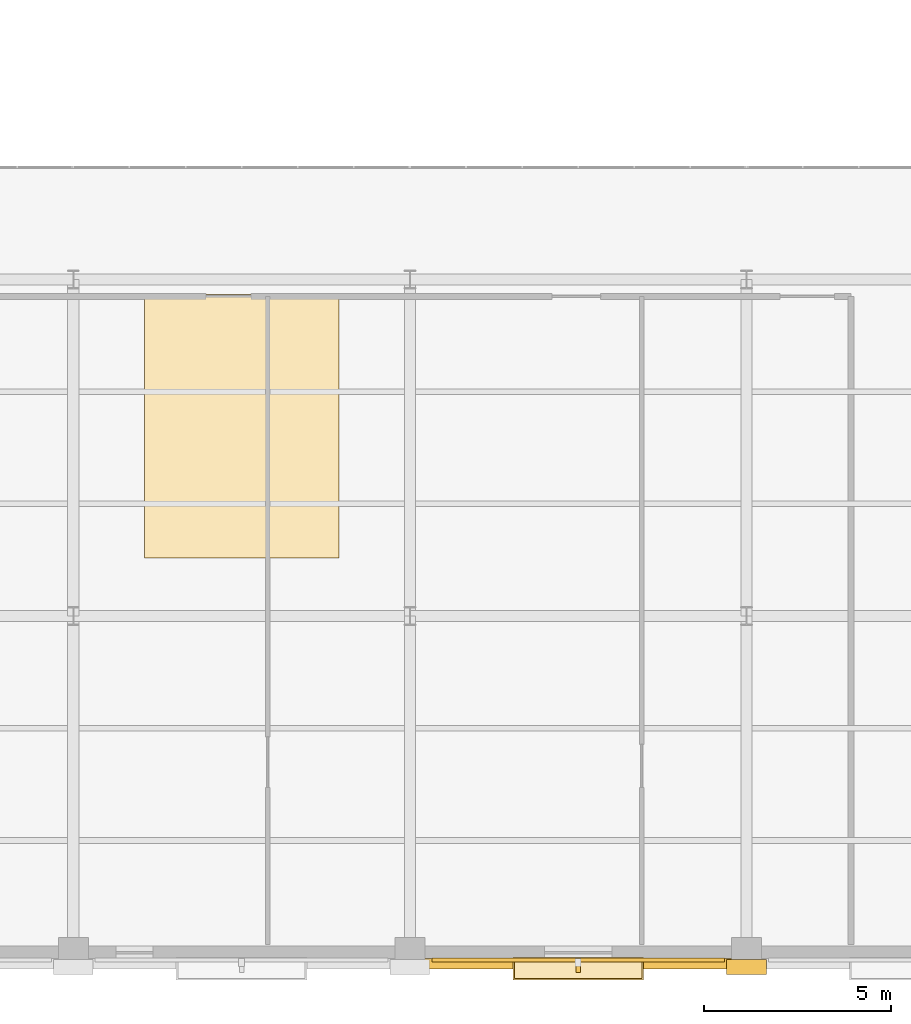
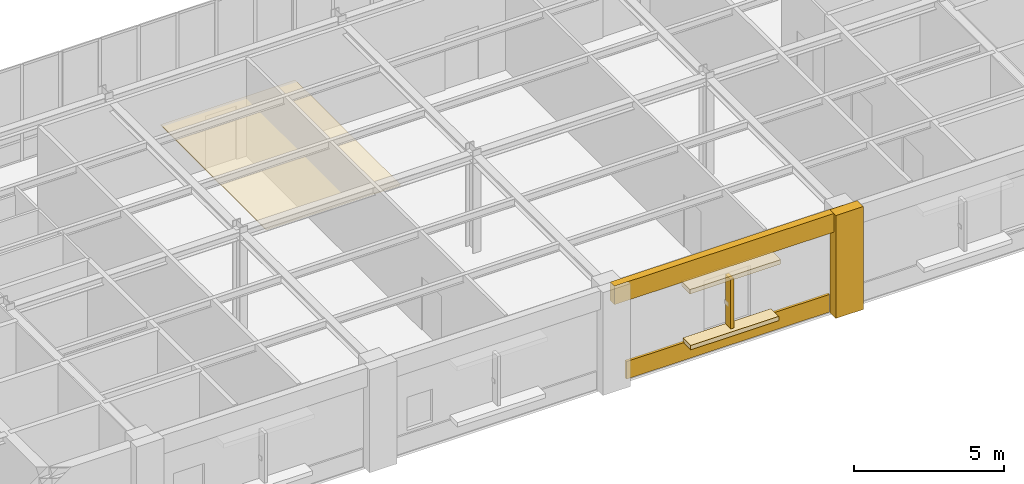
# One storey, part 102 of 108: 6 coverings, 1 shading device.
"""IFC4 building model written with IfcOpenShell, lengths in metres."""

from ifc_helpers import new_model, si_unit, direction, frame, origin, origin_2d, place, context, subcontext, project, spatial, rectangle, extrude, material, layer, layer_set, type_object, element, save


model = new_model("IFC4")

# Units and contexts
model_context = context("Model", 3, precision=1e-05, world=origin(), true_north=direction((0.0, 1.0)))
body_context = subcontext(model_context, "Body", "Model", "MODEL_VIEW")
ifc_project = project(units=[si_unit("LENGTHUNIT", "METRE"), si_unit("AREAUNIT", "SQUARE_METRE"), si_unit("VOLUMEUNIT", "CUBIC_METRE"), si_unit("PLANEANGLEUNIT", "RADIAN"), si_unit("MASSUNIT", "GRAM", prefix="KILO")], contexts=[model_context])

# Site, building, storey
site_placement = place(None, origin())
site = spatial("IfcSite", under=ifc_project, at=site_placement, CompositionType="ELEMENT")
building_placement = place(site_placement, origin())
building = spatial("IfcBuilding", under=site, at=building_placement, Name="Lykobir Media Centre", CompositionType="ELEMENT")
storey_placement = place(building_placement, frame((0.0, 0.0, 15.0)))
storey = spatial("IfcBuildingStorey", under=building, at=storey_placement, Name="L03", CompositionType="ELEMENT", Elevation=15.0)

# Coverings
ifc_material_1 = material(Name="Glazed Turquoise Terracotta", Category="masonry")
ifc_layer_1 = layer(ifc_material_1, 0.0400390625, Name="Glazed Turquoise Terracotta")
ifc_layer_set_1 = layer_set([ifc_layer_1], Name="Glazed Turquoise Terracotta")
covering_type_1 = type_object("IfcCoveringType", Name="CLD-TERR", PredefinedType="CLADDING", material=ifc_layer_set_1)
covering_1_placement = place(storey_placement, frame((58.5, -0.196044921875, 0.080078125), z_axis=(0.0, 0.0, 1.0), x_axis=(1.0, 0.0, 0.0)))
element("IfcCovering", 1, at=covering_1_placement, inside=storey, type_object=covering_type_1, Name="Facade spandrel apron 484", PredefinedType="CLADDING", context=body_context, shape_type="SweptSolid", body=[
    extrude(rectangle(XDim=7.830078125, YDim=0.10009765625, at=origin_2d()), origin(), (0.0, 0.0, 1.0), 0.719970703125),
])
ifc_material_2 = material(Name="Honed Travertine Stone", Category="masonry")
ifc_layer_2 = layer(ifc_material_2, 0.050048828125, Name="Honed Travertine Stone")
ifc_layer_set_2 = layer_set([ifc_layer_2], Name="Honed Travertine Stone")
covering_type_2 = type_object("IfcCoveringType", Name="CLD-TRAV", PredefinedType="CLADDING", material=ifc_layer_set_2)
covering_2_placement = place(storey_placement, frame((63.0, -0.3798828125, 0.0), z_axis=(0.0, 0.0, 1.0), x_axis=(1.0, 0.0, 0.0)))
element("IfcCovering", 2, at=covering_2_placement, inside=storey, type_object=covering_type_2, Name="Travertine column pier 482", PredefinedType="CLADDING", context=body_context, shape_type="SweptSolid", body=[
    extrude(rectangle(XDim=1.06005859375, YDim=0.39990234375, at=origin_2d()), origin(), (0.0, 0.0, 1.0), 4.199951171875),
])
covering_3_placement = place(storey_placement, frame((58.5, -0.300048828125, 3.43994140625), z_axis=(0.0, 0.0, 1.0), x_axis=(1.0, 0.0, 0.0)))
element("IfcCovering", 3, at=covering_3_placement, inside=storey, type_object=covering_type_2, Name="Travertine spandrel stringcourse 483", PredefinedType="CLADDING", context=body_context, shape_type="SweptSolid", body=[
    extrude(rectangle(XDim=9.0, YDim=0.280029296875, at=origin_2d()), origin(), (0.0, 0.0, 1.0), 0.760009765625),
])
covering_4_placement = place(storey_placement, frame((58.5, -0.429931640625, 0.77001953125), z_axis=(0.0, 0.0, 1.0), x_axis=(1.0, 0.0, 0.0)))
element("IfcCovering", 4, at=covering_4_placement, inside=storey, type_object=covering_type_2, Name="Ottoman Cumba sill 485", PredefinedType="CLADDING", context=body_context, shape_type="SweptSolid", body=[
    extrude(rectangle(XDim=3.39990234375, YDim=0.52001953125, at=origin_2d()), origin(), (0.0, 0.0, 1.0), 0.179931640625),
])
covering_5_placement = place(storey_placement, frame((58.5, -0.429931640625, 3.08984375), z_axis=(0.0, 0.0, 1.0), x_axis=(1.0, 0.0, 0.0)))
element("IfcCovering", 5, at=covering_5_placement, inside=storey, type_object=covering_type_2, Name="Ottoman Cumba canopy 486", PredefinedType="CLADDING", context=body_context, shape_type="SweptSolid", body=[
    extrude(rectangle(XDim=3.5, YDim=0.60009765625, at=origin_2d()), origin(), (0.0, 0.0, 1.0), 0.179931640625),
])
ifc_material_3 = material(Name="Acoustic Gypsum Board", Category="gypsum")
ifc_layer_3 = layer(ifc_material_3, 0.0400390625, Name="Acoustic Gypsum Board")
ifc_layer_set_3 = layer_set([ifc_layer_3], Name="Acoustic Gypsum Board")
covering_type_3 = type_object("IfcCoveringType", Name="COV-CEIL", PredefinedType="CEILING", material=ifc_layer_set_3)
covering_6_placement = place(storey_placement, frame((49.5, 14.080078125, 2.300048828125), z_axis=(0.0, 0.0, 1.0), x_axis=(1.0, 0.0, 0.0)))
element("IfcCovering", 6, at=covering_6_placement, inside=storey, type_object=covering_type_3, Name="L03 acoustic suspended ceiling 4", PredefinedType="CEILING", context=body_context, shape_type="SweptSolid", body=[
    extrude(rectangle(XDim=5.199951171875, YDim=7.050048828125, at=origin_2d()), origin(), (0.0, 0.0, 1.0), 0.0400390625),
])

# Shading device
shading_device_type = type_object("IfcShadingDeviceType", Name="SHD-FIN", PredefinedType="USERDEFINED", material=ifc_material_1)
shading_device_placement = place(storey_placement, frame((58.5, -0.35009765625, 0.72509765625), z_axis=(0.0, 0.0, 1.0), x_axis=(1.0, 0.0, 0.0)))
element("IfcShadingDevice", 7, at=shading_device_placement, inside=storey, type_object=shading_device_type, Name="Terracotta shading fin 28", ObjectType="FIN", PredefinedType="USERDEFINED", context=body_context, shape_type="SweptSolid", body=[
    extrude(rectangle(XDim=0.1201171875, YDim=0.35009765625, at=origin_2d()), origin(), (0.0, 0.0, 1.0), 2.25),
])

save(model, "model.ifc")
